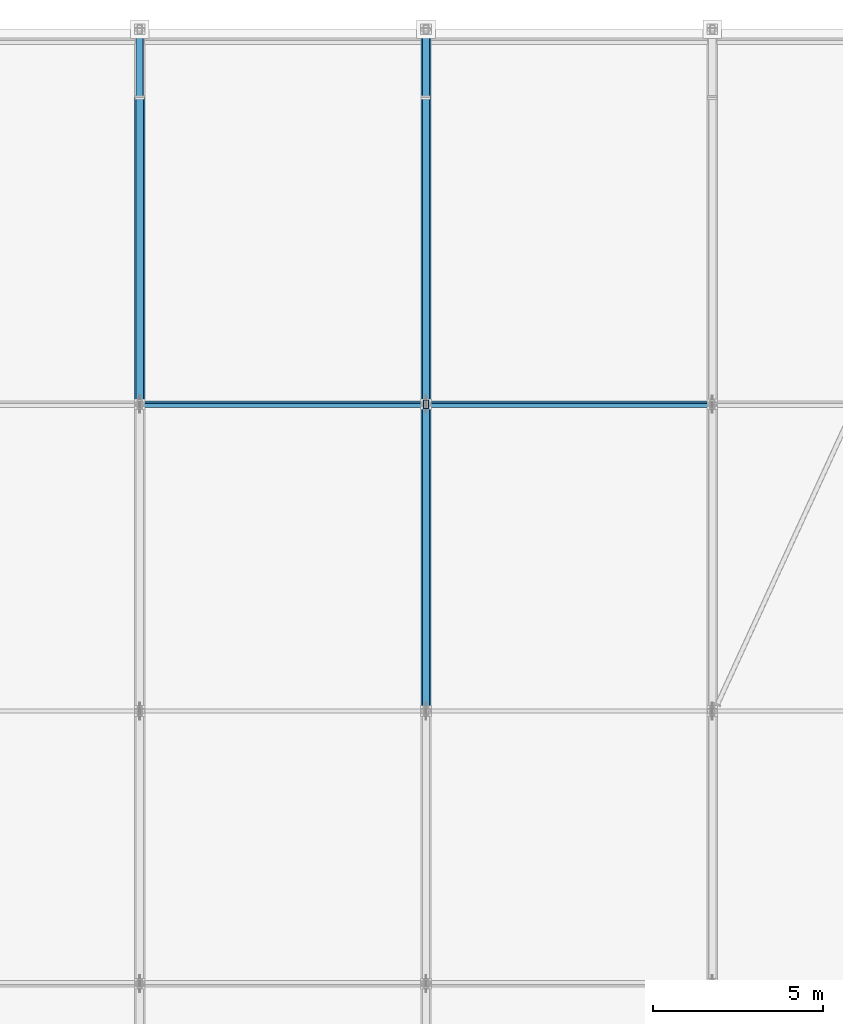
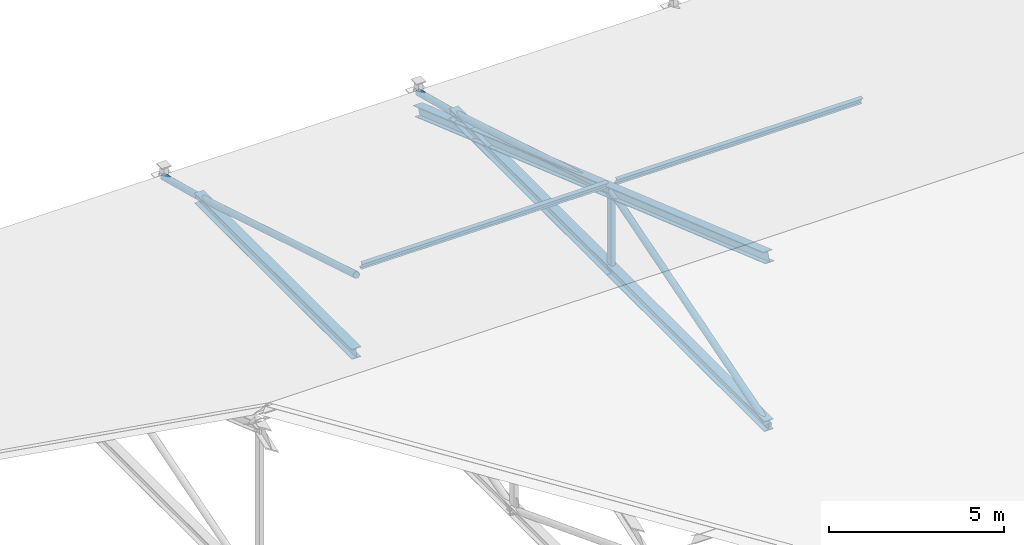
# One storey, part 16 of 57: 11 members, 1 beam.
"""IFC4 building model written with IfcOpenShell, lengths in metres."""

from ifc_helpers import new_model, si_unit, direction, frame, origin, origin_2d, place, context, subcontext, project, spatial, hollow_rectangle, hollow_circle, i_section, extrude, material, material_profile, profile_set, type_object, element, save


model = new_model("IFC4")

# Units and contexts
model_context = context("Model", 3, precision=1e-05, world=origin(), true_north=direction((0.0, 1.0)))
body_context = subcontext(model_context, "Body", "Model", "MODEL_VIEW")
ifc_project = project(units=[si_unit("LENGTHUNIT", "METRE"), si_unit("AREAUNIT", "SQUARE_METRE"), si_unit("VOLUMEUNIT", "CUBIC_METRE"), si_unit("PLANEANGLEUNIT", "RADIAN"), si_unit("MASSUNIT", "GRAM", prefix="KILO")], contexts=[model_context])

# Site, building, storey
site_placement = place(None, origin())
site = spatial("IfcSite", under=ifc_project, at=site_placement, CompositionType="ELEMENT")
building_placement = place(site_placement, origin())
building = spatial("IfcBuilding", under=site, at=building_placement, Name="Kelarvand Opera House", CompositionType="ELEMENT")
storey_placement = place(building_placement, frame((0.0, 0.0, 33.60009765625)))
storey = spatial("IfcBuildingStorey", under=building, at=storey_placement, Name="Roof", CompositionType="ELEMENT", Elevation=33.60009765625)

# Members
ifc_material = material(Name="Steel S355", Category="steel")
ifc_material_profile_1 = material_profile(ifc_material, hollow_circle(Radius=0.109619140625, WallThickness=0.010009765625, at=origin_2d()), Name="CHS 219.1x10.0", Category="steel")
ifc_profile_set_1 = profile_set([ifc_material_profile_1], Name="Steel S355")
member_type_1 = type_object("IfcMemberType", Name="Structural Brace CHS 219.1x10.0 BR-CHS219", PredefinedType="BRACE", material=ifc_profile_set_1)
member_1_placement = place(storey_placement, frame((25.800048828125, 125.0, -14.10009765625), z_axis=(0.0, -0.967820204991, 0.251642704667), x_axis=(1.0, 0.0, 0.0)))
element("IfcMember", 1, at=member_1_placement, inside=storey, type_object=member_type_1, Name="V3 Roof Truss 3 Support Tie N", PredefinedType="BRACE", context=body_context, shape_type="SweptSolid", body=[
    extrude(hollow_circle(Radius=0.109619140625, WallThickness=0.010009765625, at=origin_2d()), origin(), (0.0, 0.0, 1.0), 2.06640625),
])
member_2_placement = place(storey_placement, frame((25.800048828125, 114.0, -10.852783203125), z_axis=(0.0, 0.957023749403, -0.290009556874), x_axis=(-1.0, 0.0, 0.0)))
element("IfcMember", 2, at=member_2_placement, inside=storey, type_object=member_type_1, Name="V3 Roof Truss 3 Web Diagonal 4", PredefinedType="BRACE", context=body_context, shape_type="SweptSolid", body=[
    extrude(hollow_circle(Radius=0.109619140625, WallThickness=0.010009765625, at=origin_2d()), origin(), (0.0, 0.0, 1.0), 9.404052734375),
])
member_3_placement = place(storey_placement, frame((34.199951171875, 125.0, -14.10009765625), z_axis=(0.0, -0.967820204991, 0.251642704667), x_axis=(1.0, 0.0, 0.0)))
element("IfcMember", 3, at=member_3_placement, inside=storey, type_object=member_type_1, Name="V3 Roof Truss 4 Support Tie N", PredefinedType="BRACE", context=body_context, shape_type="SweptSolid", body=[
    extrude(hollow_circle(Radius=0.109619140625, WallThickness=0.010009765625, at=origin_2d()), origin(), (0.0, 0.0, 1.0), 2.06640625),
])
for number, where, z_axis, x_axis, name in (
    (4, (34.199951171875, 105.0, -13.580078125), (0.0, 0.957023749403, 0.290009556874), (-1.0, 0.0, 0.0), "V3 Roof Truss 4 Web Diagonal 3"),
    (5, (34.199951171875, 114.0, -10.852783203125), (0.0, 0.957023749403, -0.290009556874), (-1.0, 0.0, 0.0), "V3 Roof Truss 4 Web Diagonal 4"),
):
    element("IfcMember", number, at=place(storey_placement, frame(where, z_axis=z_axis, x_axis=x_axis)), inside=storey, type_object=member_type_1, Name=name, PredefinedType="BRACE", context=body_context, shape_type="SweptSolid", body=[
        extrude(hollow_circle(Radius=0.109619140625, WallThickness=0.010009765625, at=origin_2d()), origin(), (0.0, 0.0, 1.0), 9.404052734375),
    ])
ifc_material_profile_2 = material_profile(ifc_material, i_section(OverallWidth=0.300048828125, OverallDepth=0.360107421875, WebThickness=0.012451171875, FlangeThickness=0.0224609375, at=origin_2d()), Name="HEB 360", Category="steel")
ifc_profile_set_2 = profile_set([ifc_material_profile_2], Name="Steel S355")
member_type_2 = type_object("IfcMemberType", Name="Structural Chord HEB 360 CH-HEB360", PredefinedType="CHORD", material=ifc_profile_set_2)
for number, where, z_axis, x_axis, name in (
    (6, (25.800048828125, 114.0, -13.580078125), (0.0, 1.0, 0.0), (-1.0, 0.0, 0.0), "V3 Roof Truss 3 Bottom Chord 4"),
    (7, (34.199951171875, 105.0, -13.580078125), (0.0, 1.0, 0.0), (-1.0, 0.0, 0.0), "V3 Roof Truss 4 Bottom Chord 3"),
    (8, (34.199951171875, 114.0, -13.580078125), (0.0, 1.0, 0.0), (-1.0, 0.0, 0.0), "V3 Roof Truss 4 Bottom Chord 4"),
):
    element("IfcMember", number, at=place(storey_placement, frame(where, z_axis=z_axis, x_axis=x_axis)), inside=storey, type_object=member_type_2, Name=name, PredefinedType="CHORD", context=body_context, shape_type="SweptSolid", body=[
        extrude(i_section(OverallWidth=0.300048828125, OverallDepth=0.360107421875, WebThickness=0.012451171875, FlangeThickness=0.0224609375, at=origin_2d()), origin(), (0.0, 0.0, 1.0), 9.0),
    ])
ifc_material_profile_3 = material_profile(ifc_material, hollow_rectangle(XDim=0.14990234375, YDim=0.25, WallThickness=0.010009765625, at=origin_2d()), Name="RHS 250x150x10.0", Category="steel")
ifc_profile_set_3 = profile_set([ifc_material_profile_3], Name="Steel S355")
member_type_3 = type_object("IfcMemberType", Name="Structural Post RHS 250x150x10.0 PS-RHS250", PredefinedType="POST", material=ifc_profile_set_3)
member_4_placement = place(storey_placement, frame((34.199951171875, 114.0, -13.580078125), z_axis=(0.0, 0.0, 1.0), x_axis=(1.0, 0.0, 0.0)))
element("IfcMember", 9, at=member_4_placement, inside=storey, type_object=member_type_3, Name="V3 Roof Truss 4 Post 3", PredefinedType="POST", context=body_context, shape_type="SweptSolid", body=[
    extrude(hollow_rectangle(XDim=0.14990234375, YDim=0.25, WallThickness=0.010009765625, at=origin_2d()), origin(), (0.0, 0.0, 1.0), 2.727294921875),
])
ifc_material_profile_4 = material_profile(ifc_material, i_section(OverallWidth=0.1201171875, OverallDepth=0.239990234375, WebThickness=0.006103515625, FlangeThickness=0.009765625, at=origin_2d()), Name="IPE 240", Category="steel")
ifc_profile_set_4 = profile_set([ifc_material_profile_4], Name="Steel S355")
member_type_4 = type_object("IfcMemberType", Name="Structural Purlin IPE 240 PR-IPE240", PredefinedType="PURLIN", material=ifc_profile_set_4)
member_5_placement = place(storey_placement, frame((25.93994140625, 114.0, -10.576904296875), z_axis=(1.0, 0.0, 0.0), x_axis=(0.0, 0.943858622852, 0.330349663339)))
element("IfcMember", 10, at=member_5_placement, inside=storey, type_object=member_type_4, Name="V3 Roof Purlin 3.5", PredefinedType="PURLIN", context=body_context, shape_type="SweptSolid", body=[
    extrude(i_section(OverallWidth=0.1201171875, OverallDepth=0.239990234375, WebThickness=0.006103515625, FlangeThickness=0.009765625, at=origin_2d()), origin(), (0.0, 0.0, 1.0), 8.1201171875),
])
member_6_placement = place(storey_placement, frame((34.340087890625, 114.0, -10.576904296875), z_axis=(1.0, 0.0, 0.0), x_axis=(0.0, 0.943858622852, 0.330349663339)))
element("IfcMember", 11, at=member_6_placement, inside=storey, type_object=member_type_4, Name="V3 Roof Purlin 4.5", PredefinedType="PURLIN", context=body_context, shape_type="SweptSolid", body=[
    extrude(i_section(OverallWidth=0.1201171875, OverallDepth=0.239990234375, WebThickness=0.006103515625, FlangeThickness=0.009765625, at=origin_2d()), origin(), (0.0, 0.0, 1.0), 8.119873046875),
])

# Beam
ifc_material_profile_5 = material_profile(ifc_material, i_section(OverallWidth=0.300048828125, OverallDepth=0.360107421875, WebThickness=0.012451171875, FlangeThickness=0.0224609375, at=origin_2d()), Name="HEB 360", Category="steel")
ifc_profile_set_5 = profile_set([ifc_material_profile_5], Name="Steel S355")
beam_type = type_object("IfcBeamType", Name="Structural Roof Truss HEB 360 RT-HEB360", PredefinedType="USERDEFINED", material=ifc_profile_set_5)
beam_placement = place(storey_placement, frame((34.199951171875, 105.0, -7.702880859375), z_axis=(0.0, 0.943858356366, -0.330350424728), x_axis=(-1.0, 0.0, 0.0)))
element("IfcBeam", 12, at=beam_placement, inside=storey, type_object=beam_type, Name="V3 Roof Truss 4 Top Chord Rafter 2", ObjectType="ROOF TRUSS", PredefinedType="USERDEFINED", context=body_context, shape_type="SweptSolid", body=[
    extrude(i_section(OverallWidth=0.300048828125, OverallDepth=0.360107421875, WebThickness=0.012451171875, FlangeThickness=0.0224609375, at=origin_2d()), origin(), (0.0, 0.0, 1.0), 21.189697265625),
])

save(model, "model.ifc")
